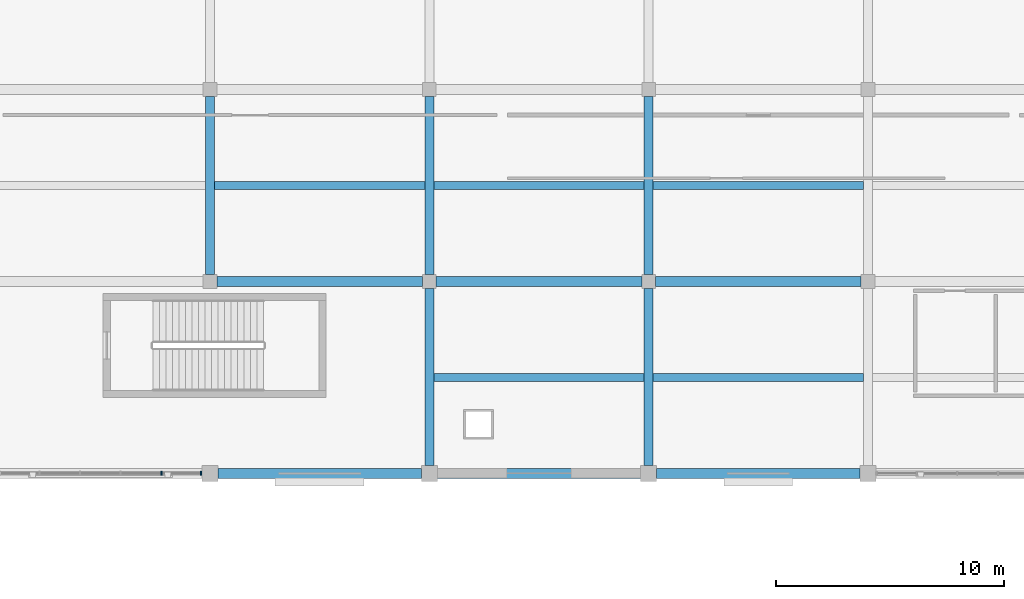
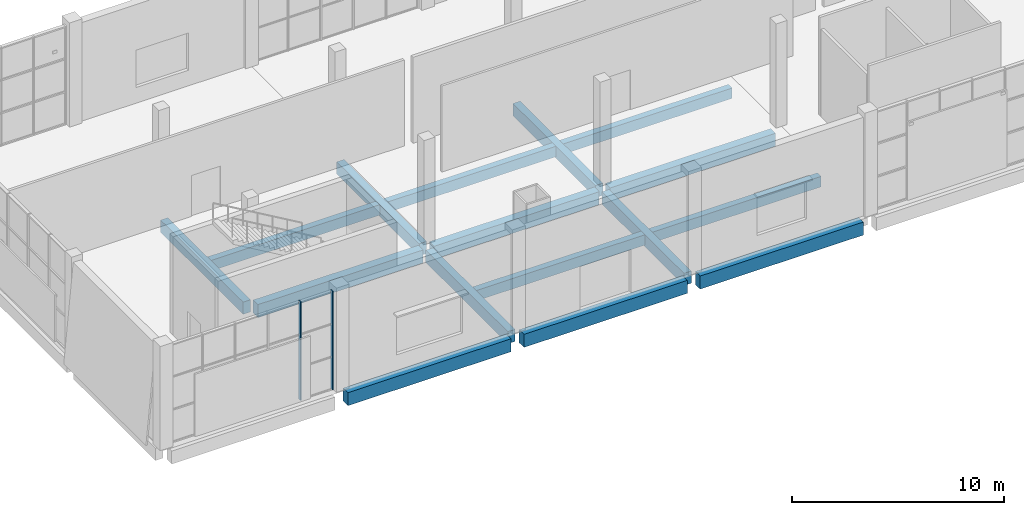
# One storey, part 30 of 84: 16 beams, 2 members, 1 element without a shape of its own.
"""IFC4 building model written with IfcOpenShell, lengths in metres."""

from ifc_helpers import new_model, si_unit, direction, frame, origin, origin_2d, place, context, subcontext, project, spatial, rectangle, extrude, material, material_profile, profile_set, type_object, element, aggregate, save


model = new_model("IFC4")

# Units and contexts
model_context = context("Model", 3, precision=1e-05, world=origin(), true_north=direction((0.0, 1.0)))
body_context = subcontext(model_context, "Body", "Model", "MODEL_VIEW")
ifc_project = project(units=[si_unit("LENGTHUNIT", "METRE"), si_unit("AREAUNIT", "SQUARE_METRE"), si_unit("VOLUMEUNIT", "CUBIC_METRE"), si_unit("PLANEANGLEUNIT", "RADIAN"), si_unit("MASSUNIT", "GRAM", prefix="KILO")], contexts=[model_context])

# Site, building, storey
site_placement = place(None, origin())
site = spatial("IfcSite", under=ifc_project, at=site_placement, CompositionType="ELEMENT")
building_placement = place(site_placement, origin())
building = spatial("IfcBuilding", under=site, at=building_placement, Name="Shalvenor Court Art Gallery", CompositionType="ELEMENT")
storey_placement = place(building_placement, origin())
storey = spatial("IfcBuildingStorey", under=building, at=storey_placement, Name="L00", CompositionType="ELEMENT", Elevation=0.0)

# Beams
ifc_material_1 = material(Name="Concrete C40/50", Category="concrete")
ifc_material_profile_1 = material_profile(ifc_material_1, rectangle(XDim=0.449951171875, YDim=0.75, at=origin_2d()), Name="RC 450x750")
ifc_profile_set_1 = profile_set([ifc_material_profile_1], Name="Concrete C40/50")
beam_type_1 = type_object("IfcBeamType", Name="B-04", PredefinedType="BEAM", material=ifc_profile_set_1)
beam_1_placement = place(storey_placement, frame((67.550048828125, 97.199951171875, -0.715087890625), z_axis=(1.0, 0.0, 0.0), x_axis=(0.0, 1.0, 0.0)))
element("IfcBeam", 1, at=beam_1_placement, inside=storey, type_object=beam_type_1, Name="L00 Girder BM-L00-B-04-0240", PredefinedType="BEAM", context=body_context, shape_type="SweptSolid", body=[
    extrude(rectangle(XDim=0.449951171875, YDim=0.75, at=origin_2d()), origin(), (0.0, 0.0, 1.0), 8.89990234375),
])
beam_2_placement = place(storey_placement, frame((77.14990234375, 97.199951171875, -0.715087890625), z_axis=(1.0, 0.0, 0.0), x_axis=(0.0, 1.0, 0.0)))
element("IfcBeam", 2, at=beam_2_placement, inside=storey, type_object=beam_type_1, Name="L00 Girder BM-L00-B-04-0241", PredefinedType="BEAM", context=body_context, shape_type="SweptSolid", body=[
    extrude(rectangle(XDim=0.449951171875, YDim=0.75, at=origin_2d()), origin(), (0.0, 0.0, 1.0), 8.900146484375),
])
beam_3_placement = place(storey_placement, frame((86.75, 97.199951171875, -0.715087890625), z_axis=(1.0, 0.0, 0.0), x_axis=(0.0, 1.0, 0.0)))
element("IfcBeam", 3, at=beam_3_placement, inside=storey, type_object=beam_type_1, Name="L00 Girder BM-L00-B-04-0242", PredefinedType="BEAM", context=body_context, shape_type="SweptSolid", body=[
    extrude(rectangle(XDim=0.449951171875, YDim=0.75, at=origin_2d()), origin(), (0.0, 0.0, 1.0), 8.89990234375),
])
for number, where, z_axis, x_axis, name in (
    (4, (67.5, 105.60009765625, -0.715087890625), (1.0, 0.0, 0.0), (0.0, 1.0, 0.0), "L00 Girder BM-L00-B-04-0256"),
    (5, (77.10009765625, 105.60009765625, -0.715087890625), (1.0, 0.0, 0.0), (0.0, 1.0, 0.0), "L00 Girder BM-L00-B-04-0257"),
    (6, (86.699951171875, 105.60009765625, -0.715087890625), (1.0, 0.0, 0.0), (0.0, 1.0, 0.0), "L00 Girder BM-L00-B-04-0258"),
):
    element("IfcBeam", number, at=place(storey_placement, frame(where, z_axis=z_axis, x_axis=x_axis)), inside=storey, type_object=beam_type_1, Name=name, PredefinedType="BEAM", context=body_context, shape_type="SweptSolid", body=[
        extrude(rectangle(XDim=0.449951171875, YDim=0.75, at=origin_2d()), origin(), (0.0, 0.0, 1.0), 9.0),
    ])
ifc_material_2 = material(Name="Concrete C40/50", Category="concrete")
ifc_material_profile_2 = material_profile(ifc_material_2, rectangle(XDim=0.39990234375, YDim=0.699951171875, at=origin_2d()), Name="RC 400x700")
ifc_profile_set_2 = profile_set([ifc_material_profile_2], Name="Concrete C40/50")
beam_type_2 = type_object("IfcBeamType", Name="B-05", PredefinedType="BEAM", material=ifc_profile_set_2)
beam_4_placement = place(storey_placement, frame((67.199951171875, 105.89990234375, -0.68994140625), z_axis=(0.0, 1.0, 0.0), x_axis=(-1.0, 0.0, 0.0)))
element("IfcBeam", 7, at=beam_4_placement, inside=storey, type_object=beam_type_2, Name="L00 Girder BM-L00-B-05-0056", PredefinedType="BEAM", context=body_context, shape_type="SweptSolid", body=[
    extrude(rectangle(XDim=0.39990234375, YDim=0.699951171875, at=origin_2d()), origin(), (0.0, 0.0, 1.0), 7.800048828125),
])
beam_5_placement = place(storey_placement, frame((76.800048828125, 97.550048828125, -0.68994140625), z_axis=(0.0, 1.0, 0.0), x_axis=(-1.0, 0.0, 0.0)))
element("IfcBeam", 8, at=beam_5_placement, inside=storey, type_object=beam_type_2, Name="L00 Girder BM-L00-B-05-0060", PredefinedType="BEAM", context=body_context, shape_type="SweptSolid", body=[
    extrude(rectangle(XDim=0.39990234375, YDim=0.699951171875, at=origin_2d()), origin(), (0.0, 0.0, 1.0), 7.75),
])
beam_6_placement = place(storey_placement, frame((76.800048828125, 105.89990234375, -0.68994140625), z_axis=(0.0, 1.0, 0.0), x_axis=(-1.0, 0.0, 0.0)))
element("IfcBeam", 9, at=beam_6_placement, inside=storey, type_object=beam_type_2, Name="L00 Girder BM-L00-B-05-0061", PredefinedType="BEAM", context=body_context, shape_type="SweptSolid", body=[
    extrude(rectangle(XDim=0.39990234375, YDim=0.699951171875, at=origin_2d()), origin(), (0.0, 0.0, 1.0), 7.800048828125),
])
beam_7_placement = place(storey_placement, frame((86.39990234375, 97.550048828125, -0.68994140625), z_axis=(0.0, 1.0, 0.0), x_axis=(-1.0, 0.0, 0.0)))
element("IfcBeam", 10, at=beam_7_placement, inside=storey, type_object=beam_type_2, Name="L00 Girder BM-L00-B-05-0063", PredefinedType="BEAM", context=body_context, shape_type="SweptSolid", body=[
    extrude(rectangle(XDim=0.39990234375, YDim=0.699951171875, at=origin_2d()), origin(), (0.0, 0.0, 1.0), 7.75),
])
beam_8_placement = place(storey_placement, frame((86.39990234375, 105.89990234375, -0.68994140625), z_axis=(0.0, 1.0, 0.0), x_axis=(-1.0, 0.0, 0.0)))
element("IfcBeam", 11, at=beam_8_placement, inside=storey, type_object=beam_type_2, Name="L00 Girder BM-L00-B-05-0064", PredefinedType="BEAM", context=body_context, shape_type="SweptSolid", body=[
    extrude(rectangle(XDim=0.39990234375, YDim=0.699951171875, at=origin_2d()), origin(), (0.0, 0.0, 1.0), 7.800048828125),
])

# Curtain wall, members
ifc_material_3 = material(Name="Anodised aluminium and low-iron glass curtain wall", Category="aluminium")
curtain_wall_type = type_object("IfcCurtainWallType", Name="CW-5x3-89-57-112", PredefinedType="USERDEFINED", material=ifc_material_3)
curtain_wall_placement = place(storey_placement, origin())
curtain_wall = element("IfcCurtainWall", 12, at=curtain_wall_placement, inside=storey, type_object=curtain_wall_type, Name="L00 V2 Curtain Wall CW-L00-060", ObjectType="CURTAIN WALL", PredefinedType="USERDEFINED")
ifc_material_4 = material(Name="Anodised aluminium mullion", Category="aluminium")
ifc_material_profile_3 = material_profile(ifc_material_4, rectangle(XDim=0.06494140625, YDim=0.179931640625, at=origin_2d()), Name="CWM-01")
ifc_profile_set_3 = profile_set([ifc_material_profile_3], Name="Anodised aluminium mullion")
member_type = type_object("IfcMemberType", Name="CWM-01", PredefinedType="MULLION", material=ifc_profile_set_3)
member_1_placement = place(storey_placement, frame((66.8173828125, 97.199951171875, 0.0), z_axis=(0.0, 0.0, 1.0), x_axis=(-1.0, 0.0, 0.0)))
member_1 = element("IfcMember", 13, at=member_1_placement, type_object=member_type, Name="CW-5x3-89-57-112 mullion 1", PredefinedType="MULLION", context=body_context, shape_type="SweptSolid", body=[
    extrude(rectangle(XDim=0.06494140625, YDim=0.179931640625, at=origin_2d()), origin(), (0.0, 0.0, 1.0), 5.679931640625),
])
member_2_placement = place(storey_placement, frame((65.070068359375, 97.199951171875, 0.0), z_axis=(0.0, 0.0, 1.0), x_axis=(-1.0, 0.0, 0.0)))
member_2 = element("IfcMember", 14, at=member_2_placement, type_object=member_type, Name="CW-5x3-89-57-112 mullion 2", PredefinedType="MULLION", context=body_context, shape_type="SweptSolid", body=[
    extrude(rectangle(XDim=0.06494140625, YDim=0.179931640625, at=origin_2d()), origin(), (0.0, 0.0, 1.0), 5.679931640625),
])
aggregate(curtain_wall, [member_1, member_2])

# Beams
ifc_material_5 = material(Name="Concrete C40/50", Category="concrete")
ifc_material_profile_4 = material_profile(ifc_material_5, rectangle(XDim=0.35009765625, YDim=0.60009765625, at=origin_2d()), Name="RC 350x600")
ifc_profile_set_4 = profile_set([ifc_material_profile_4], Name="Concrete C40/50")
beam_type_3 = type_object("IfcBeamType", Name="J-01", PredefinedType="JOIST", material=ifc_profile_set_4)
beam_9_placement = place(storey_placement, frame((67.39990234375, 109.800048828125, -0.639892578125), z_axis=(1.0, 0.0, 0.0), x_axis=(0.0, 1.0, 0.0)))
element("IfcBeam", 15, at=beam_9_placement, inside=storey, type_object=beam_type_3, Name="L00 Secondary Beam JST-L00-J-01-0310", PredefinedType="JOIST", context=body_context, shape_type="SweptSolid", body=[
    extrude(rectangle(XDim=0.35009765625, YDim=0.60009765625, at=origin_2d()), origin(), (0.0, 0.0, 1.0), 9.2001953125),
])
for number, where, z_axis, x_axis, name in (
    (16, (77.0, 101.39990234375, -0.639892578125), (1.0, 0.0, 0.0), (0.0, 1.0, 0.0), "L00 Secondary Beam JST-L00-J-01-0312"),
    (17, (77.0, 109.800048828125, -0.639892578125), (1.0, 0.0, 0.0), (0.0, 1.0, 0.0), "L00 Secondary Beam JST-L00-J-01-0313"),
    (18, (86.60009765625, 101.39990234375, -0.639892578125), (1.0, 0.0, 0.0), (0.0, 1.0, 0.0), "L00 Secondary Beam JST-L00-J-01-0315"),
    (19, (86.60009765625, 109.800048828125, -0.639892578125), (1.0, 0.0, 0.0), (0.0, 1.0, 0.0), "L00 Secondary Beam JST-L00-J-01-0316"),
):
    element("IfcBeam", number, at=place(storey_placement, frame(where, z_axis=z_axis, x_axis=x_axis)), inside=storey, type_object=beam_type_3, Name=name, PredefinedType="JOIST", context=body_context, shape_type="SweptSolid", body=[
        extrude(rectangle(XDim=0.35009765625, YDim=0.60009765625, at=origin_2d()), origin(), (0.0, 0.0, 1.0), 9.199951171875),
    ])

save(model, "model.ifc")
